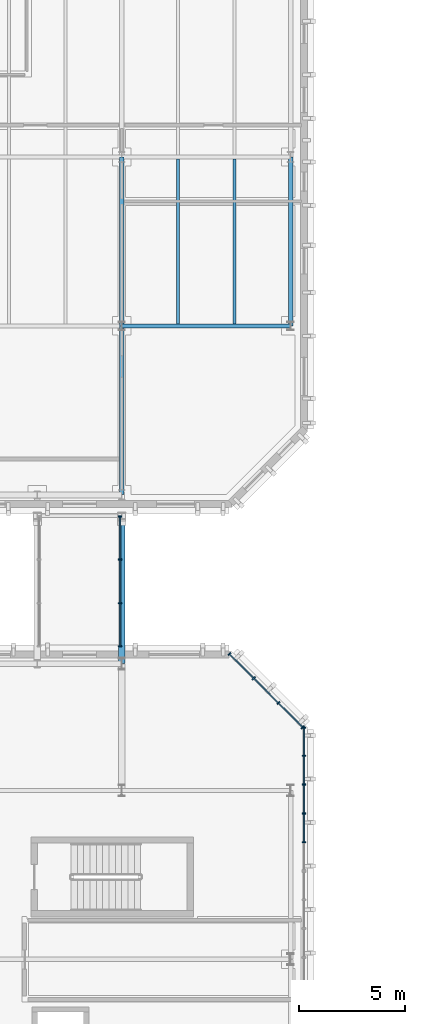
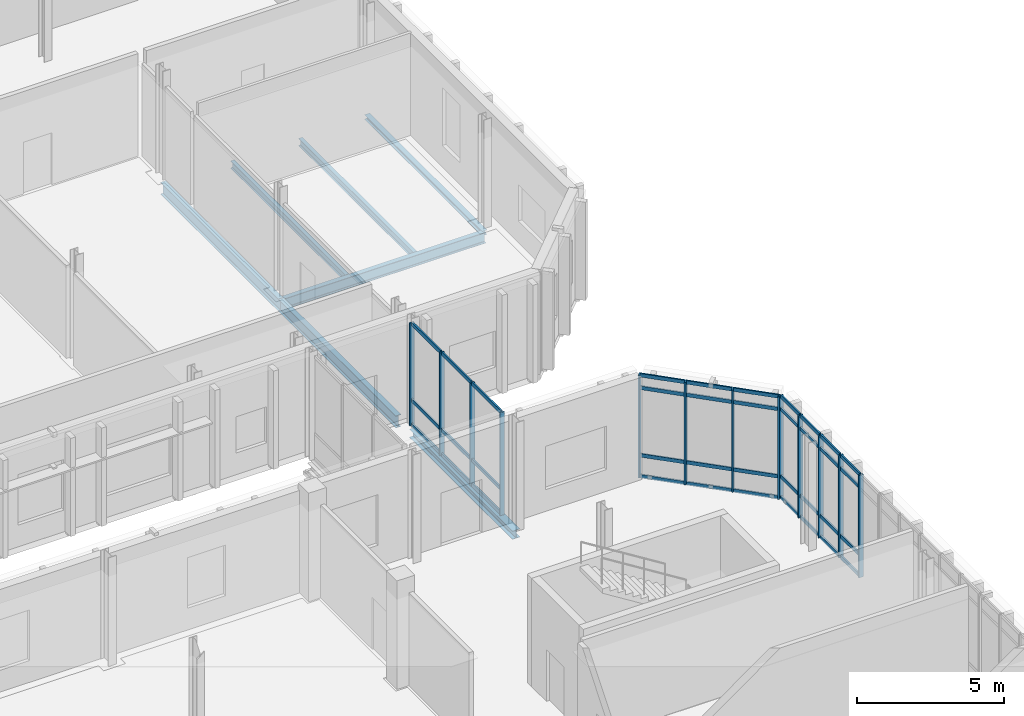
# One storey, part 37 of 100: 50 members, 7 beams, 3 elements without a shape of their own.
"""IFC4 building model written with IfcOpenShell, lengths in metres."""

from ifc_helpers import new_model, si_unit, direction, frame, origin, origin_2d, place, context, subcontext, project, spatial, rectangle, i_section, extrude, material, material_profile, profile_set, type_object, element, aggregate, save


model = new_model("IFC4")

# Units and contexts
model_context = context("Model", 3, precision=1e-05, world=origin(), true_north=direction((0.0, 1.0)))
body_context = subcontext(model_context, "Body", "Model", "MODEL_VIEW")
ifc_project = project(units=[si_unit("LENGTHUNIT", "METRE"), si_unit("AREAUNIT", "SQUARE_METRE"), si_unit("VOLUMEUNIT", "CUBIC_METRE"), si_unit("PLANEANGLEUNIT", "RADIAN"), si_unit("MASSUNIT", "GRAM", prefix="KILO")], contexts=[model_context])

# Site, building, storey
site_placement = place(None, origin())
site = spatial("IfcSite", under=ifc_project, at=site_placement, CompositionType="ELEMENT")
building_placement = place(site_placement, origin())
building = spatial("IfcBuilding", under=site, at=building_placement, Name="Cymarion Research Institute", CompositionType="ELEMENT")
storey_placement = place(building_placement, frame((0.0, 0.0, 4.800048828125)))
storey = spatial("IfcBuildingStorey", under=building, at=storey_placement, Name="L01", CompositionType="ELEMENT", Elevation=4.800048828125)

# Curtain wall, members
ifc_material_1 = material(Name="Anodised aluminium unitised curtain wall with Low-E glazing", Category="aluminium")
curtain_wall_type_1 = type_object("IfcCurtainWallType", Name="UNITISED CURTAIN WALL CW20 6820X4250", PredefinedType="NOTDEFINED", material=ifc_material_1)
curtain_wall_1_placement = place(storey_placement, origin())
curtain_wall_1 = element("IfcCurtainWall", 1, at=curtain_wall_1_placement, inside=storey, type_object=curtain_wall_type_1, Name="L01 V4 unitised curtain wall CW20 #42", PredefinedType="NOTDEFINED")
ifc_material_2 = material(Name="Anodised aluminium framing", Category="aluminium")
ifc_material_profile_1 = material_profile(ifc_material_2, rectangle(XDim=0.06005859375, YDim=0.179931640625, at=origin_2d()), Name="ALU MULLION 60x180")
ifc_profile_set_1 = profile_set([ifc_material_profile_1], Name="Anodised aluminium framing")
member_type_1 = type_object("IfcMemberType", Name="CURTAIN WALL MULLION ML01 60X180", PredefinedType="MULLION", material=ifc_profile_set_1)
member_1_placement = place(storey_placement, frame((47.22998046875, 69.04443359375, 0.0), z_axis=(0.0, 0.0, 1.0), x_axis=(0.0, 1.0, 0.0)))
member_1 = element("IfcMember", 2, at=member_1_placement, type_object=member_type_1, Name="CW20 mullion 2", PredefinedType="MULLION", context=body_context, shape_type="SweptSolid", body=[
    extrude(rectangle(XDim=0.06005859375, YDim=0.179931640625, at=origin_2d()), origin(), (0.0, 0.0, 1.0), 4.25),
])
member_2_placement = place(storey_placement, frame((47.22998046875, 70.408203125, 0.0), z_axis=(0.0, 0.0, 1.0), x_axis=(0.0, 1.0, 0.0)))
member_2 = element("IfcMember", 3, at=member_2_placement, type_object=member_type_1, Name="CW20 mullion 3", PredefinedType="MULLION", context=body_context, shape_type="SweptSolid", body=[
    extrude(rectangle(XDim=0.06005859375, YDim=0.179931640625, at=origin_2d()), origin(), (0.0, 0.0, 1.0), 4.25),
])
member_3_placement = place(storey_placement, frame((47.22998046875, 71.772216796875, 0.0), z_axis=(0.0, 0.0, 1.0), x_axis=(0.0, 1.0, 0.0)))
member_3 = element("IfcMember", 4, at=member_3_placement, type_object=member_type_1, Name="CW20 mullion 4", PredefinedType="MULLION", context=body_context, shape_type="SweptSolid", body=[
    extrude(rectangle(XDim=0.06005859375, YDim=0.179931640625, at=origin_2d()), origin(), (0.0, 0.0, 1.0), 4.25),
])
member_4_placement = place(storey_placement, frame((47.22998046875, 73.135986328125, 0.0), z_axis=(0.0, 0.0, 1.0), x_axis=(0.0, 1.0, 0.0)))
member_4 = element("IfcMember", 5, at=member_4_placement, type_object=member_type_1, Name="CW20 mullion 5", PredefinedType="MULLION", context=body_context, shape_type="SweptSolid", body=[
    extrude(rectangle(XDim=0.06005859375, YDim=0.179931640625, at=origin_2d()), origin(), (0.0, 0.0, 1.0), 4.25),
])
member_5_placement = place(storey_placement, frame((47.22998046875, 74.469970703125, 0.0), z_axis=(0.0, 0.0, 1.0), x_axis=(0.0, 1.0, 0.0)))
member_5 = element("IfcMember", 6, at=member_5_placement, type_object=member_type_1, Name="CW20 mullion 6", PredefinedType="MULLION", context=body_context, shape_type="SweptSolid", body=[
    extrude(rectangle(XDim=0.06005859375, YDim=0.179931640625, at=origin_2d()), origin(), (0.0, 0.0, 1.0), 4.25),
])

curtain_wall_type_2 = type_object("IfcCurtainWallType", Name="UNITISED CURTAIN WALL CW21 4970X4250", PredefinedType="NOTDEFINED", material=ifc_material_1)
curtain_wall_2_placement = place(storey_placement, origin())
curtain_wall_2 = element("IfcCurtainWall", 7, at=curtain_wall_2_placement, inside=storey, type_object=curtain_wall_type_2, Name="L01 V4 unitised curtain wall CW21 #43", PredefinedType="NOTDEFINED")
member_6_placement = place(storey_placement, frame((47.171630859375, 74.48779296875, 0.0), z_axis=(0.0, 0.0, 1.0), x_axis=(-0.707096717405, 0.707116844825, 0.0)))
member_6 = element("IfcMember", 8, at=member_6_placement, type_object=member_type_1, Name="CW21 mullion 1", PredefinedType="MULLION", context=body_context, shape_type="SweptSolid", body=[
    extrude(rectangle(XDim=0.06005859375, YDim=0.179931640625, at=origin_2d()), origin(), (0.0, 0.0, 1.0), 4.25),
])
member_7_placement = place(storey_placement, frame((46.02197265625, 75.6376953125, 0.0), z_axis=(0.0, 0.0, 1.0), x_axis=(-0.707096717405, 0.707116844825, 0.0)))
member_7 = element("IfcMember", 9, at=member_7_placement, type_object=member_type_1, Name="CW21 mullion 2", PredefinedType="MULLION", context=body_context, shape_type="SweptSolid", body=[
    extrude(rectangle(XDim=0.06005859375, YDim=0.179931640625, at=origin_2d()), origin(), (0.0, 0.0, 1.0), 4.25),
])
member_8_placement = place(storey_placement, frame((44.850830078125, 76.808837890625, 0.0), z_axis=(0.0, 0.0, 1.0), x_axis=(-0.707096717405, 0.707116844825, 0.0)))
member_8 = element("IfcMember", 10, at=member_8_placement, type_object=member_type_1, Name="CW21 mullion 3", PredefinedType="MULLION", context=body_context, shape_type="SweptSolid", body=[
    extrude(rectangle(XDim=0.06005859375, YDim=0.179931640625, at=origin_2d()), origin(), (0.0, 0.0, 1.0), 4.25),
])
member_9_placement = place(storey_placement, frame((43.700927734375, 77.95849609375, 0.0), z_axis=(0.0, 0.0, 1.0), x_axis=(-0.707096717405, 0.707116844825, 0.0)))
member_9 = element("IfcMember", 11, at=member_9_placement, type_object=member_type_1, Name="CW21 mullion 4", PredefinedType="MULLION", context=body_context, shape_type="SweptSolid", body=[
    extrude(rectangle(XDim=0.06005859375, YDim=0.179931640625, at=origin_2d()), origin(), (0.0, 0.0, 1.0), 4.25),
])

curtain_wall_type_3 = type_object("IfcCurtainWallType", Name="UNITISED CURTAIN WALL CW25 6200X4260", PredefinedType="NOTDEFINED", material=ifc_material_1)
curtain_wall_3_placement = place(storey_placement, origin())
curtain_wall_3 = element("IfcCurtainWall", 12, at=curtain_wall_3_placement, inside=storey, type_object=curtain_wall_type_3, Name="L01 SP2 sky-passage glazed wall 2", PredefinedType="NOTDEFINED")
member_10_placement = place(storey_placement, frame((38.52001953125, 78.330078125, 0.0), z_axis=(0.0, 0.0, 1.0), x_axis=(0.0, 1.0, 0.0)))
member_10 = element("IfcMember", 13, at=member_10_placement, type_object=member_type_1, Name="CW25 mullion 1", PredefinedType="MULLION", context=body_context, shape_type="SweptSolid", body=[
    extrude(rectangle(XDim=0.06005859375, YDim=0.179931640625, at=origin_2d()), origin(), (0.0, 0.0, 1.0), 4.260009765625),
])
member_11_placement = place(storey_placement, frame((38.52001953125, 80.36669921875, 0.0), z_axis=(0.0, 0.0, 1.0), x_axis=(0.0, 1.0, 0.0)))
member_11 = element("IfcMember", 14, at=member_11_placement, type_object=member_type_1, Name="CW25 mullion 2", PredefinedType="MULLION", context=body_context, shape_type="SweptSolid", body=[
    extrude(rectangle(XDim=0.06005859375, YDim=0.179931640625, at=origin_2d()), origin(), (0.0, 0.0, 1.0), 4.260009765625),
])
member_12_placement = place(storey_placement, frame((38.52001953125, 82.433349609375, 0.0), z_axis=(0.0, 0.0, 1.0), x_axis=(0.0, 1.0, 0.0)))
member_12 = element("IfcMember", 15, at=member_12_placement, type_object=member_type_1, Name="CW25 mullion 3", PredefinedType="MULLION", context=body_context, shape_type="SweptSolid", body=[
    extrude(rectangle(XDim=0.06005859375, YDim=0.179931640625, at=origin_2d()), origin(), (0.0, 0.0, 1.0), 4.260009765625),
])
member_13_placement = place(storey_placement, frame((38.52001953125, 84.469970703125, 0.0), z_axis=(0.0, 0.0, 1.0), x_axis=(0.0, 1.0, 0.0)))
member_13 = element("IfcMember", 16, at=member_13_placement, type_object=member_type_1, Name="CW25 mullion 4", PredefinedType="MULLION", context=body_context, shape_type="SweptSolid", body=[
    extrude(rectangle(XDim=0.06005859375, YDim=0.179931640625, at=origin_2d()), origin(), (0.0, 0.0, 1.0), 4.260009765625),
])

# Member
ifc_material_profile_2 = material_profile(ifc_material_2, rectangle(XDim=0.06005859375, YDim=0.14990234375, at=origin_2d()), Name="ALU TRANSOM 60x150")
ifc_profile_set_2 = profile_set([ifc_material_profile_2], Name="Anodised aluminium framing")
member_type_2 = type_object("IfcMemberType", Name="CURTAIN WALL TRANSOM TR01 60X150", PredefinedType="USERDEFINED", material=ifc_profile_set_2)
member_14_placement = place(storey_placement, frame((47.22998046875, 69.074462890625, 0.030029296875), z_axis=(0.0, 1.0, 0.0), x_axis=(-1.0, 0.0, 0.0)))
member_14 = element("IfcMember", 17, at=member_14_placement, type_object=member_type_2, Name="CW20 transom 2.1", ObjectType="TRANSOM", PredefinedType="USERDEFINED", context=body_context, shape_type="SweptSolid", body=[
    extrude(rectangle(XDim=0.06005859375, YDim=0.14990234375, at=origin_2d()), origin(), (0.0, 0.0, 1.0), 1.303955078125),
])

member_15_placement = place(storey_placement, frame((47.22998046875, 69.074462890625, 0.89990234375), z_axis=(0.0, 1.0, 0.0), x_axis=(-1.0, 0.0, 0.0)))
member_15 = element("IfcMember", 18, at=member_15_placement, type_object=member_type_2, Name="CW20 transom 2.2", ObjectType="TRANSOM", PredefinedType="USERDEFINED", context=body_context, shape_type="SweptSolid", body=[
    extrude(rectangle(XDim=0.06005859375, YDim=0.14990234375, at=origin_2d()), origin(), (0.0, 0.0, 1.0), 1.303955078125),
])

member_16_placement = place(storey_placement, frame((47.22998046875, 69.074462890625, 3.699951171875), z_axis=(0.0, 1.0, 0.0), x_axis=(-1.0, 0.0, 0.0)))
member_16 = element("IfcMember", 19, at=member_16_placement, type_object=member_type_2, Name="CW20 transom 2.3", ObjectType="TRANSOM", PredefinedType="USERDEFINED", context=body_context, shape_type="SweptSolid", body=[
    extrude(rectangle(XDim=0.06005859375, YDim=0.14990234375, at=origin_2d()), origin(), (0.0, 0.0, 1.0), 1.303955078125),
])

member_17_placement = place(storey_placement, frame((47.22998046875, 69.074462890625, 4.219970703125), z_axis=(0.0, 1.0, 0.0), x_axis=(-1.0, 0.0, 0.0)))
member_17 = element("IfcMember", 20, at=member_17_placement, type_object=member_type_2, Name="CW20 transom 2.4", ObjectType="TRANSOM", PredefinedType="USERDEFINED", context=body_context, shape_type="SweptSolid", body=[
    extrude(rectangle(XDim=0.06005859375, YDim=0.14990234375, at=origin_2d()), origin(), (0.0, 0.0, 1.0), 1.303955078125),
])

member_18_placement = place(storey_placement, frame((47.22998046875, 70.438232421875, 0.030029296875), z_axis=(0.0, 1.0, 0.0), x_axis=(-1.0, 0.0, 0.0)))
member_18 = element("IfcMember", 21, at=member_18_placement, type_object=member_type_2, Name="CW20 transom 3.1", ObjectType="TRANSOM", PredefinedType="USERDEFINED", context=body_context, shape_type="SweptSolid", body=[
    extrude(rectangle(XDim=0.06005859375, YDim=0.14990234375, at=origin_2d()), origin(), (0.0, 0.0, 1.0), 1.303955078125),
])

member_19_placement = place(storey_placement, frame((47.22998046875, 70.438232421875, 0.89990234375), z_axis=(0.0, 1.0, 0.0), x_axis=(-1.0, 0.0, 0.0)))
member_19 = element("IfcMember", 22, at=member_19_placement, type_object=member_type_2, Name="CW20 transom 3.2", ObjectType="TRANSOM", PredefinedType="USERDEFINED", context=body_context, shape_type="SweptSolid", body=[
    extrude(rectangle(XDim=0.06005859375, YDim=0.14990234375, at=origin_2d()), origin(), (0.0, 0.0, 1.0), 1.303955078125),
])

member_20_placement = place(storey_placement, frame((47.22998046875, 70.438232421875, 3.699951171875), z_axis=(0.0, 1.0, 0.0), x_axis=(-1.0, 0.0, 0.0)))
member_20 = element("IfcMember", 23, at=member_20_placement, type_object=member_type_2, Name="CW20 transom 3.3", ObjectType="TRANSOM", PredefinedType="USERDEFINED", context=body_context, shape_type="SweptSolid", body=[
    extrude(rectangle(XDim=0.06005859375, YDim=0.14990234375, at=origin_2d()), origin(), (0.0, 0.0, 1.0), 1.303955078125),
])

member_21_placement = place(storey_placement, frame((47.22998046875, 70.438232421875, 4.219970703125), z_axis=(0.0, 1.0, 0.0), x_axis=(-1.0, 0.0, 0.0)))
member_21 = element("IfcMember", 24, at=member_21_placement, type_object=member_type_2, Name="CW20 transom 3.4", ObjectType="TRANSOM", PredefinedType="USERDEFINED", context=body_context, shape_type="SweptSolid", body=[
    extrude(rectangle(XDim=0.06005859375, YDim=0.14990234375, at=origin_2d()), origin(), (0.0, 0.0, 1.0), 1.303955078125),
])

member_22_placement = place(storey_placement, frame((47.22998046875, 71.80224609375, 0.030029296875), z_axis=(0.0, 1.0, 0.0), x_axis=(-1.0, 0.0, 0.0)))
member_22 = element("IfcMember", 25, at=member_22_placement, type_object=member_type_2, Name="CW20 transom 4.1", ObjectType="TRANSOM", PredefinedType="USERDEFINED", context=body_context, shape_type="SweptSolid", body=[
    extrude(rectangle(XDim=0.06005859375, YDim=0.14990234375, at=origin_2d()), origin(), (0.0, 0.0, 1.0), 1.303955078125),
])

member_23_placement = place(storey_placement, frame((47.22998046875, 71.80224609375, 0.89990234375), z_axis=(0.0, 1.0, 0.0), x_axis=(-1.0, 0.0, 0.0)))
member_23 = element("IfcMember", 26, at=member_23_placement, type_object=member_type_2, Name="CW20 transom 4.2", ObjectType="TRANSOM", PredefinedType="USERDEFINED", context=body_context, shape_type="SweptSolid", body=[
    extrude(rectangle(XDim=0.06005859375, YDim=0.14990234375, at=origin_2d()), origin(), (0.0, 0.0, 1.0), 1.303955078125),
])

member_24_placement = place(storey_placement, frame((47.22998046875, 71.80224609375, 3.699951171875), z_axis=(0.0, 1.0, 0.0), x_axis=(-1.0, 0.0, 0.0)))
member_24 = element("IfcMember", 27, at=member_24_placement, type_object=member_type_2, Name="CW20 transom 4.3", ObjectType="TRANSOM", PredefinedType="USERDEFINED", context=body_context, shape_type="SweptSolid", body=[
    extrude(rectangle(XDim=0.06005859375, YDim=0.14990234375, at=origin_2d()), origin(), (0.0, 0.0, 1.0), 1.303955078125),
])

member_25_placement = place(storey_placement, frame((47.22998046875, 71.80224609375, 4.219970703125), z_axis=(0.0, 1.0, 0.0), x_axis=(-1.0, 0.0, 0.0)))
member_25 = element("IfcMember", 28, at=member_25_placement, type_object=member_type_2, Name="CW20 transom 4.4", ObjectType="TRANSOM", PredefinedType="USERDEFINED", context=body_context, shape_type="SweptSolid", body=[
    extrude(rectangle(XDim=0.06005859375, YDim=0.14990234375, at=origin_2d()), origin(), (0.0, 0.0, 1.0), 1.303955078125),
])

member_26_placement = place(storey_placement, frame((47.22998046875, 73.166015625, 0.030029296875), z_axis=(0.0, 1.0, 0.0), x_axis=(-1.0, 0.0, 0.0)))
member_26 = element("IfcMember", 29, at=member_26_placement, type_object=member_type_2, Name="CW20 transom 5.1", ObjectType="TRANSOM", PredefinedType="USERDEFINED", context=body_context, shape_type="SweptSolid", body=[
    extrude(rectangle(XDim=0.06005859375, YDim=0.14990234375, at=origin_2d()), origin(), (0.0, 0.0, 1.0), 1.27392578125),
])

member_27_placement = place(storey_placement, frame((47.22998046875, 73.166015625, 0.89990234375), z_axis=(0.0, 1.0, 0.0), x_axis=(-1.0, 0.0, 0.0)))
member_27 = element("IfcMember", 30, at=member_27_placement, type_object=member_type_2, Name="CW20 transom 5.2", ObjectType="TRANSOM", PredefinedType="USERDEFINED", context=body_context, shape_type="SweptSolid", body=[
    extrude(rectangle(XDim=0.06005859375, YDim=0.14990234375, at=origin_2d()), origin(), (0.0, 0.0, 1.0), 1.27392578125),
])

member_28_placement = place(storey_placement, frame((47.22998046875, 73.166015625, 3.699951171875), z_axis=(0.0, 1.0, 0.0), x_axis=(-1.0, 0.0, 0.0)))
member_28 = element("IfcMember", 31, at=member_28_placement, type_object=member_type_2, Name="CW20 transom 5.3", ObjectType="TRANSOM", PredefinedType="USERDEFINED", context=body_context, shape_type="SweptSolid", body=[
    extrude(rectangle(XDim=0.06005859375, YDim=0.14990234375, at=origin_2d()), origin(), (0.0, 0.0, 1.0), 1.27392578125),
])

member_29_placement = place(storey_placement, frame((47.22998046875, 73.166015625, 4.219970703125), z_axis=(0.0, 1.0, 0.0), x_axis=(-1.0, 0.0, 0.0)))
member_29 = element("IfcMember", 32, at=member_29_placement, type_object=member_type_2, Name="CW20 transom 5.4", ObjectType="TRANSOM", PredefinedType="USERDEFINED", context=body_context, shape_type="SweptSolid", body=[
    extrude(rectangle(XDim=0.06005859375, YDim=0.14990234375, at=origin_2d()), origin(), (0.0, 0.0, 1.0), 1.27392578125),
])

aggregate(curtain_wall_1, [member_1, member_2, member_3, member_4, member_5, member_14, member_15, member_16, member_17, member_18, member_19, member_20, member_21, member_22, member_23, member_24, member_25, member_26, member_27, member_28, member_29])

member_30_placement = place(storey_placement, frame((47.150390625, 74.509033203125, 0.030029296875), z_axis=(-0.707106781187, 0.707106781187, 0.0), x_axis=(-0.707106781187, -0.707106781187, 0.0)))
member_30 = element("IfcMember", 33, at=member_30_placement, type_object=member_type_2, Name="CW21 transom 1.1", ObjectType="TRANSOM", PredefinedType="USERDEFINED", context=body_context, shape_type="SweptSolid", body=[
    extrude(rectangle(XDim=0.06005859375, YDim=0.14990234375, at=origin_2d()), origin(), (0.0, 0.0, 1.0), 1.566162109375),
])

member_31_placement = place(storey_placement, frame((47.150390625, 74.509033203125, 0.89990234375), z_axis=(-0.707106781187, 0.707106781187, 0.0), x_axis=(-0.707106781187, -0.707106781187, 0.0)))
member_31 = element("IfcMember", 34, at=member_31_placement, type_object=member_type_2, Name="CW21 transom 1.2", ObjectType="TRANSOM", PredefinedType="USERDEFINED", context=body_context, shape_type="SweptSolid", body=[
    extrude(rectangle(XDim=0.06005859375, YDim=0.14990234375, at=origin_2d()), origin(), (0.0, 0.0, 1.0), 1.566162109375),
])

member_32_placement = place(storey_placement, frame((47.150390625, 74.509033203125, 3.699951171875), z_axis=(-0.707106781187, 0.707106781187, 0.0), x_axis=(-0.707106781187, -0.707106781187, 0.0)))
member_32 = element("IfcMember", 35, at=member_32_placement, type_object=member_type_2, Name="CW21 transom 1.3", ObjectType="TRANSOM", PredefinedType="USERDEFINED", context=body_context, shape_type="SweptSolid", body=[
    extrude(rectangle(XDim=0.06005859375, YDim=0.14990234375, at=origin_2d()), origin(), (0.0, 0.0, 1.0), 1.566162109375),
])

member_33_placement = place(storey_placement, frame((47.150390625, 74.509033203125, 4.219970703125), z_axis=(-0.707106781187, 0.707106781187, 0.0), x_axis=(-0.707106781187, -0.707106781187, 0.0)))
member_33 = element("IfcMember", 36, at=member_33_placement, type_object=member_type_2, Name="CW21 transom 1.4", ObjectType="TRANSOM", PredefinedType="USERDEFINED", context=body_context, shape_type="SweptSolid", body=[
    extrude(rectangle(XDim=0.06005859375, YDim=0.14990234375, at=origin_2d()), origin(), (0.0, 0.0, 1.0), 1.566162109375),
])

member_34_placement = place(storey_placement, frame((46.000732421875, 75.658935546875, 0.030029296875), z_axis=(-0.707106781187, 0.707106781187, 0.0), x_axis=(-0.707106781187, -0.707106781187, 0.0)))
member_34 = element("IfcMember", 37, at=member_34_placement, type_object=member_type_2, Name="CW21 transom 2.1", ObjectType="TRANSOM", PredefinedType="USERDEFINED", context=body_context, shape_type="SweptSolid", body=[
    extrude(rectangle(XDim=0.06005859375, YDim=0.14990234375, at=origin_2d()), origin(), (0.0, 0.0, 1.0), 1.59619140625),
])

member_35_placement = place(storey_placement, frame((46.000732421875, 75.658935546875, 0.89990234375), z_axis=(-0.707106781187, 0.707106781187, 0.0), x_axis=(-0.707106781187, -0.707106781187, 0.0)))
member_35 = element("IfcMember", 38, at=member_35_placement, type_object=member_type_2, Name="CW21 transom 2.2", ObjectType="TRANSOM", PredefinedType="USERDEFINED", context=body_context, shape_type="SweptSolid", body=[
    extrude(rectangle(XDim=0.06005859375, YDim=0.14990234375, at=origin_2d()), origin(), (0.0, 0.0, 1.0), 1.59619140625),
])

member_36_placement = place(storey_placement, frame((46.000732421875, 75.658935546875, 3.699951171875), z_axis=(-0.707106781187, 0.707106781187, 0.0), x_axis=(-0.707106781187, -0.707106781187, 0.0)))
member_36 = element("IfcMember", 39, at=member_36_placement, type_object=member_type_2, Name="CW21 transom 2.3", ObjectType="TRANSOM", PredefinedType="USERDEFINED", context=body_context, shape_type="SweptSolid", body=[
    extrude(rectangle(XDim=0.06005859375, YDim=0.14990234375, at=origin_2d()), origin(), (0.0, 0.0, 1.0), 1.59619140625),
])

member_37_placement = place(storey_placement, frame((46.000732421875, 75.658935546875, 4.219970703125), z_axis=(-0.707106781187, 0.707106781187, 0.0), x_axis=(-0.707106781187, -0.707106781187, 0.0)))
member_37 = element("IfcMember", 40, at=member_37_placement, type_object=member_type_2, Name="CW21 transom 2.4", ObjectType="TRANSOM", PredefinedType="USERDEFINED", context=body_context, shape_type="SweptSolid", body=[
    extrude(rectangle(XDim=0.06005859375, YDim=0.14990234375, at=origin_2d()), origin(), (0.0, 0.0, 1.0), 1.59619140625),
])

member_38_placement = place(storey_placement, frame((44.82958984375, 76.829833984375, 0.030029296875), z_axis=(-0.707106781187, 0.707106781187, 0.0), x_axis=(-0.707106781187, -0.707106781187, 0.0)))
member_38 = element("IfcMember", 41, at=member_38_placement, type_object=member_type_2, Name="CW21 transom 3.1", ObjectType="TRANSOM", PredefinedType="USERDEFINED", context=body_context, shape_type="SweptSolid", body=[
    extrude(rectangle(XDim=0.06005859375, YDim=0.14990234375, at=origin_2d()), origin(), (0.0, 0.0, 1.0), 1.566162109375),
])

member_39_placement = place(storey_placement, frame((44.82958984375, 76.829833984375, 0.89990234375), z_axis=(-0.707106781187, 0.707106781187, 0.0), x_axis=(-0.707106781187, -0.707106781187, 0.0)))
member_39 = element("IfcMember", 42, at=member_39_placement, type_object=member_type_2, Name="CW21 transom 3.2", ObjectType="TRANSOM", PredefinedType="USERDEFINED", context=body_context, shape_type="SweptSolid", body=[
    extrude(rectangle(XDim=0.06005859375, YDim=0.14990234375, at=origin_2d()), origin(), (0.0, 0.0, 1.0), 1.566162109375),
])

member_40_placement = place(storey_placement, frame((44.82958984375, 76.829833984375, 3.699951171875), z_axis=(-0.707106781187, 0.707106781187, 0.0), x_axis=(-0.707106781187, -0.707106781187, 0.0)))
member_40 = element("IfcMember", 43, at=member_40_placement, type_object=member_type_2, Name="CW21 transom 3.3", ObjectType="TRANSOM", PredefinedType="USERDEFINED", context=body_context, shape_type="SweptSolid", body=[
    extrude(rectangle(XDim=0.06005859375, YDim=0.14990234375, at=origin_2d()), origin(), (0.0, 0.0, 1.0), 1.566162109375),
])

member_41_placement = place(storey_placement, frame((44.82958984375, 76.829833984375, 4.219970703125), z_axis=(-0.707106781187, 0.707106781187, 0.0), x_axis=(-0.707106781187, -0.707106781187, 0.0)))
member_41 = element("IfcMember", 44, at=member_41_placement, type_object=member_type_2, Name="CW21 transom 3.4", ObjectType="TRANSOM", PredefinedType="USERDEFINED", context=body_context, shape_type="SweptSolid", body=[
    extrude(rectangle(XDim=0.06005859375, YDim=0.14990234375, at=origin_2d()), origin(), (0.0, 0.0, 1.0), 1.566162109375),
])

aggregate(curtain_wall_2, [member_6, member_7, member_8, member_9, member_30, member_31, member_32, member_33, member_34, member_35, member_36, member_37, member_38, member_39, member_40, member_41])

member_42_placement = place(storey_placement, frame((38.52001953125, 78.360107421875, 0.030029296875), z_axis=(0.0, 1.0, 0.0), x_axis=(-1.0, 0.0, 0.0)))
member_42 = element("IfcMember", 45, at=member_42_placement, type_object=member_type_2, Name="CW25 transom 1.1", ObjectType="TRANSOM", PredefinedType="USERDEFINED", context=body_context, shape_type="SweptSolid", body=[
    extrude(rectangle(XDim=0.06005859375, YDim=0.14990234375, at=origin_2d()), origin(), (0.0, 0.0, 1.0), 1.9765625),
])

member_43_placement = place(storey_placement, frame((38.52001953125, 78.360107421875, 1.050048828125), z_axis=(0.0, 1.0, 0.0), x_axis=(-1.0, 0.0, 0.0)))
member_43 = element("IfcMember", 46, at=member_43_placement, type_object=member_type_2, Name="CW25 transom 1.2", ObjectType="TRANSOM", PredefinedType="USERDEFINED", context=body_context, shape_type="SweptSolid", body=[
    extrude(rectangle(XDim=0.06005859375, YDim=0.14990234375, at=origin_2d()), origin(), (0.0, 0.0, 1.0), 1.9765625),
])

member_44_placement = place(storey_placement, frame((38.52001953125, 78.360107421875, 4.22998046875), z_axis=(0.0, 1.0, 0.0), x_axis=(-1.0, 0.0, 0.0)))
member_44 = element("IfcMember", 47, at=member_44_placement, type_object=member_type_2, Name="CW25 transom 1.3", ObjectType="TRANSOM", PredefinedType="USERDEFINED", context=body_context, shape_type="SweptSolid", body=[
    extrude(rectangle(XDim=0.06005859375, YDim=0.14990234375, at=origin_2d()), origin(), (0.0, 0.0, 1.0), 1.9765625),
])

member_45_placement = place(storey_placement, frame((38.52001953125, 80.396728515625, 0.030029296875), z_axis=(0.0, 1.0, 0.0), x_axis=(-1.0, 0.0, 0.0)))
member_45 = element("IfcMember", 48, at=member_45_placement, type_object=member_type_2, Name="CW25 transom 2.1", ObjectType="TRANSOM", PredefinedType="USERDEFINED", context=body_context, shape_type="SweptSolid", body=[
    extrude(rectangle(XDim=0.06005859375, YDim=0.14990234375, at=origin_2d()), origin(), (0.0, 0.0, 1.0), 2.006591796875),
])

member_46_placement = place(storey_placement, frame((38.52001953125, 80.396728515625, 1.050048828125), z_axis=(0.0, 1.0, 0.0), x_axis=(-1.0, 0.0, 0.0)))
member_46 = element("IfcMember", 49, at=member_46_placement, type_object=member_type_2, Name="CW25 transom 2.2", ObjectType="TRANSOM", PredefinedType="USERDEFINED", context=body_context, shape_type="SweptSolid", body=[
    extrude(rectangle(XDim=0.06005859375, YDim=0.14990234375, at=origin_2d()), origin(), (0.0, 0.0, 1.0), 2.006591796875),
])

member_47_placement = place(storey_placement, frame((38.52001953125, 80.396728515625, 4.22998046875), z_axis=(0.0, 1.0, 0.0), x_axis=(-1.0, 0.0, 0.0)))
member_47 = element("IfcMember", 50, at=member_47_placement, type_object=member_type_2, Name="CW25 transom 2.3", ObjectType="TRANSOM", PredefinedType="USERDEFINED", context=body_context, shape_type="SweptSolid", body=[
    extrude(rectangle(XDim=0.06005859375, YDim=0.14990234375, at=origin_2d()), origin(), (0.0, 0.0, 1.0), 2.006591796875),
])

member_48_placement = place(storey_placement, frame((38.52001953125, 82.46337890625, 0.030029296875), z_axis=(0.0, 1.0, 0.0), x_axis=(-1.0, 0.0, 0.0)))
member_48 = element("IfcMember", 51, at=member_48_placement, type_object=member_type_2, Name="CW25 transom 3.1", ObjectType="TRANSOM", PredefinedType="USERDEFINED", context=body_context, shape_type="SweptSolid", body=[
    extrude(rectangle(XDim=0.06005859375, YDim=0.14990234375, at=origin_2d()), origin(), (0.0, 0.0, 1.0), 1.9765625),
])

member_49_placement = place(storey_placement, frame((38.52001953125, 82.46337890625, 1.050048828125), z_axis=(0.0, 1.0, 0.0), x_axis=(-1.0, 0.0, 0.0)))
member_49 = element("IfcMember", 52, at=member_49_placement, type_object=member_type_2, Name="CW25 transom 3.2", ObjectType="TRANSOM", PredefinedType="USERDEFINED", context=body_context, shape_type="SweptSolid", body=[
    extrude(rectangle(XDim=0.06005859375, YDim=0.14990234375, at=origin_2d()), origin(), (0.0, 0.0, 1.0), 1.9765625),
])

member_50_placement = place(storey_placement, frame((38.52001953125, 82.46337890625, 4.22998046875), z_axis=(0.0, 1.0, 0.0), x_axis=(-1.0, 0.0, 0.0)))
member_50 = element("IfcMember", 53, at=member_50_placement, type_object=member_type_2, Name="CW25 transom 3.3", ObjectType="TRANSOM", PredefinedType="USERDEFINED", context=body_context, shape_type="SweptSolid", body=[
    extrude(rectangle(XDim=0.06005859375, YDim=0.14990234375, at=origin_2d()), origin(), (0.0, 0.0, 1.0), 1.9765625),
])

aggregate(curtain_wall_3, [member_10, member_11, member_12, member_13, member_42, member_43, member_44, member_45, member_46, member_47, member_48, member_49, member_50])

# Beams
ifc_material_3 = material(Name="Steel S355", Category="steel")
ifc_material_profile_3 = material_profile(ifc_material_3, i_section(OverallWidth=0.199951171875, OverallDepth=0.5, WebThickness=0.01025390625, FlangeThickness=0.01611328125, FilletRadius=0.02099609375, at=origin_2d()), Name="IPE 500")
ifc_profile_set_3 = profile_set([ifc_material_profile_3], Name="Steel S355")
beam_type_1 = type_object("IfcBeamType", Name="PRIMARY GIRDER BM03 IPE 500", PredefinedType="BEAM", material=ifc_profile_set_3)
for number, where, z_axis, x_axis, name in (
    (54, (38.60009765625, 85.506103515625, -0.5), (0.0, 1.0, 0.0), (-1.0, 0.0, 0.0), "L01 V5 girder BM03 #729"),
    (55, (38.60009765625, 93.506103515625, -0.5), (0.0, 1.0, 0.0), (-1.0, 0.0, 0.0), "L01 V5 girder BM03 #730"),
):
    element("IfcBeam", number, at=place(storey_placement, frame(where, z_axis=z_axis, x_axis=x_axis)), inside=storey, type_object=beam_type_1, Name=name, PredefinedType="BEAM", context=body_context, shape_type="SweptSolid", body=[
        extrude(i_section(OverallWidth=0.199951171875, OverallDepth=0.5, WebThickness=0.01025390625, FlangeThickness=0.01611328125, FilletRadius=0.02099609375, at=origin_2d()), origin(), (0.0, 0.0, 1.0), 7.98779296875),
    ])
ifc_material_profile_4 = material_profile(ifc_material_3, i_section(OverallWidth=0.18994140625, OverallDepth=0.449951171875, WebThickness=0.009521484375, FlangeThickness=0.0146484375, FilletRadius=0.02099609375, at=origin_2d()), Name="IPE 450")
ifc_profile_set_4 = profile_set([ifc_material_profile_4], Name="Steel S355")
beam_type_2 = type_object("IfcBeamType", Name="PRIMARY GIRDER BM04 IPE 450", PredefinedType="BEAM", material=ifc_profile_set_4)
beam_1_placement = place(storey_placement, frame((38.60595703125, 93.5, -0.47509765625), z_axis=(1.0, 0.0, 0.0), x_axis=(0.0, 1.0, 0.0)))
element("IfcBeam", 56, at=beam_1_placement, inside=storey, type_object=beam_type_2, Name="L01 V5 girder BM04 #701", PredefinedType="BEAM", context=body_context, shape_type="SweptSolid", body=[
    extrude(i_section(OverallWidth=0.18994140625, OverallDepth=0.449951171875, WebThickness=0.009521484375, FlangeThickness=0.0146484375, FilletRadius=0.02099609375, at=origin_2d()), origin(), (0.0, 0.0, 1.0), 7.988037109375),
])
ifc_material_profile_5 = material_profile(ifc_material_3, i_section(OverallWidth=0.300048828125, OverallDepth=0.35009765625, WebThickness=0.010009765625, FlangeThickness=0.017578125, FilletRadius=0.027099609375, at=origin_2d()), Name="HEA 360")
ifc_profile_set_5 = profile_set([ifc_material_profile_5], Name="Steel S355")
beam_type_3 = type_object("IfcBeamType", Name="PRIMARY GIRDER BM12 HEA 360", PredefinedType="BEAM", material=ifc_profile_set_5)
beam_2_placement = place(storey_placement, frame((38.60009765625, 77.506103515625, -0.3349609375), z_axis=(0.0, 1.0, 0.0), x_axis=(-1.0, 0.0, 0.0)))
element("IfcBeam", 57, at=beam_2_placement, inside=storey, type_object=beam_type_3, Name="L01 V4 girder BM12 #665", PredefinedType="BEAM", context=body_context, shape_type="SweptSolid", body=[
    extrude(i_section(OverallWidth=0.300048828125, OverallDepth=0.35009765625, WebThickness=0.010009765625, FlangeThickness=0.017578125, FilletRadius=0.027099609375, at=origin_2d()), origin(), (0.0, 0.0, 1.0), 6.98779296875),
])
ifc_material_profile_6 = material_profile(ifc_material_3, i_section(OverallWidth=0.14990234375, OverallDepth=0.300048828125, WebThickness=0.007080078125, FlangeThickness=0.0107421875, FilletRadius=0.014892578125, at=origin_2d()), Name="IPE 300")
ifc_profile_set_6 = profile_set([ifc_material_profile_6], Name="Steel S355")
beam_type_4 = type_object("IfcBeamType", Name="SECONDARY JOIST JS02 IPE 300", PredefinedType="JOIST", material=ifc_profile_set_6)
for number, where, z_axis, x_axis, name in (
    (58, (41.2666015625, 93.59912109375, -0.400146484375), (0.0, 1.0, 0.0), (-1.0, 0.0, 0.0), "L01 V5 secondary joist JS02 #745"),
    (59, (43.933349609375, 93.59912109375, -0.400146484375), (0.0, 1.0, 0.0), (-1.0, 0.0, 0.0), "L01 V5 secondary joist JS02 #746"),
):
    element("IfcBeam", number, at=place(storey_placement, frame(where, z_axis=z_axis, x_axis=x_axis)), inside=storey, type_object=beam_type_4, Name=name, PredefinedType="JOIST", context=body_context, shape_type="SweptSolid", body=[
        extrude(i_section(OverallWidth=0.14990234375, OverallDepth=0.300048828125, WebThickness=0.007080078125, FlangeThickness=0.0107421875, FilletRadius=0.014892578125, at=origin_2d()), origin(), (0.0, 0.0, 1.0), 7.8017578125),
    ])
ifc_material_profile_7 = material_profile(ifc_material_3, i_section(OverallWidth=0.199951171875, OverallDepth=0.18994140625, WebThickness=0.006591796875, FlangeThickness=0.010009765625, FilletRadius=0.01806640625, at=origin_2d()), Name="HEA 200")
ifc_profile_set_7 = profile_set([ifc_material_profile_7], Name="Steel S355")
beam_type_5 = type_object("IfcBeamType", Name="SPANDREL BEAM SPB04 HEA 200", PredefinedType="SPANDREL", material=ifc_profile_set_7)
beam_3_placement = place(storey_placement, frame((46.60009765625, 93.506103515625, -0.344970703125), z_axis=(0.0, 1.0, 0.0), x_axis=(-1.0, 0.0, 0.0)))
element("IfcBeam", 60, at=beam_3_placement, inside=storey, type_object=beam_type_5, Name="L01 V5 girder SPB04 #732", PredefinedType="SPANDREL", context=body_context, shape_type="SweptSolid", body=[
    extrude(i_section(OverallWidth=0.199951171875, OverallDepth=0.18994140625, WebThickness=0.006591796875, FlangeThickness=0.010009765625, FilletRadius=0.01806640625, at=origin_2d()), origin(), (0.0, 0.0, 1.0), 7.98779296875),
])

save(model, "model.ifc")
